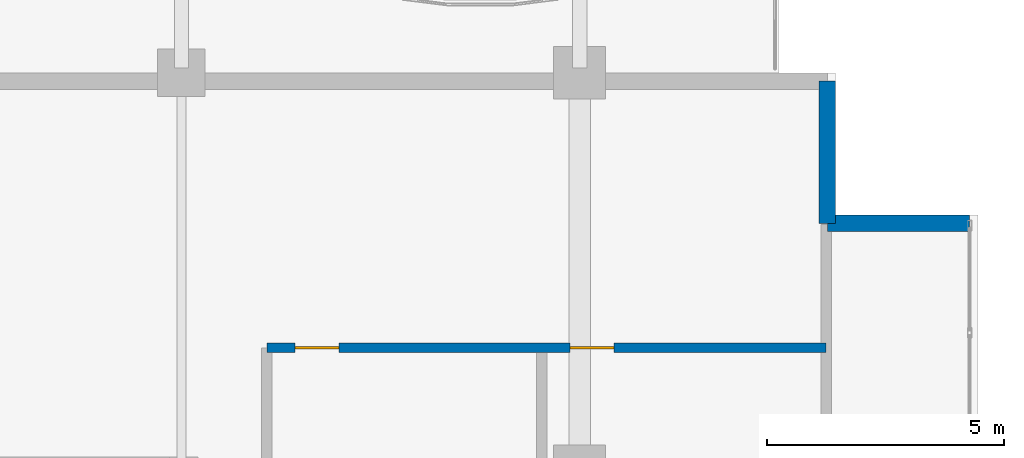
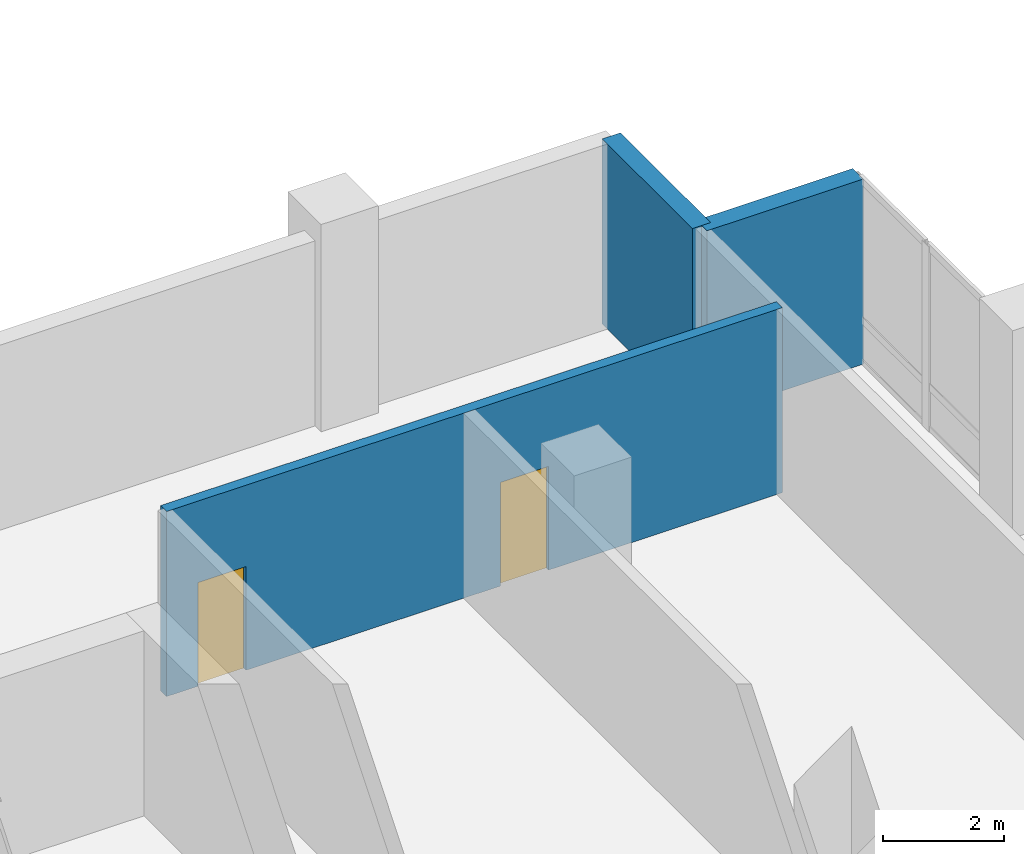
# One storey, part 15 of 21: 3 walls, 2 doors, 2 openings.
"""IFC4 building model written with IfcOpenShell, lengths in metres."""

from ifc_helpers import new_model, si_unit, direction, frame, frame_2d, origin, place, context, subcontext, project, spatial, rectangle, extrude, material, layer, layer_set, type_object, element, fill, save


model = new_model("IFC4")

# Units and contexts
model_context = context("Model", 3, precision=1e-05, world=origin(), true_north=direction((0.0, 1.0)))
body_context = subcontext(model_context, "Body", "Model", "MODEL_VIEW")
ifc_project = project(units=[si_unit("LENGTHUNIT", "METRE"), si_unit("AREAUNIT", "SQUARE_METRE"), si_unit("VOLUMEUNIT", "CUBIC_METRE"), si_unit("PLANEANGLEUNIT", "RADIAN"), si_unit("MASSUNIT", "GRAM", prefix="KILO")], contexts=[model_context])

# Site, building, storey
site_placement = place(None, origin())
site = spatial("IfcSite", under=ifc_project, at=site_placement, CompositionType="ELEMENT")
building_placement = place(site_placement, origin())
building = spatial("IfcBuilding", under=site, at=building_placement, Name="Koriwani Terraces Tower", CompositionType="ELEMENT")
storey_placement = place(building_placement, frame((0.0, 0.0, 224.0)))
storey = spatial("IfcBuildingStorey", under=building, at=storey_placement, Name="L55", CompositionType="ELEMENT", Elevation=224.0)

# Wall, openings, doors
ifc_material_1 = material(Name="Autoclaved Cellular Concrete Blockwork", Category="masonry")
ifc_layer_1 = layer(ifc_material_1, 0.199951171875, Name="Autoclaved Cellular Concrete Blockwork")
ifc_layer_set_1 = layer_set([ifc_layer_1], Name="Autoclaved Cellular Concrete Blockwork")
wall_type_1 = type_object("IfcWallType", Name="WALL_CORRIDOR_200", PredefinedType="PARTITIONING", material=ifc_layer_set_1)
wall_placement = place(storey_placement, frame((60.60009765625, 27.800048828125, 0.0), z_axis=(0.0, 0.0, 1.0), x_axis=(1.0, 0.0, 0.0)))
wall = element("IfcWall", 1, at=wall_placement, inside=storey, type_object=wall_type_1, Name="L55 Interior Wall WSKY-E1-L55", PredefinedType="PARTITIONING", context=body_context, shape_type="SweptSolid", body=[
    extrude(rectangle(XDim=11.7998046875, YDim=0.199951171875, at=frame_2d((5.89990234375, 0.0))), origin(), (0.0, 0.0, 1.0), 3.75),
])
opening_1_placement = place(wall_placement, frame((0.60009765625, 0.0, 0.0)))
opening_1 = element("IfcOpeningElement", 2, at=opening_1_placement, cuts=wall, Name="Opening D-06", PredefinedType="OPENING", context=body_context, shape_type="SweptSolid", body=[
    extrude(rectangle(XDim=0.919921875, YDim=2.10009765625, at=frame_2d((0.4599609375, 1.050048828125))), frame((0.0, 0.10986328125, 0.0), z_axis=(0.0, -1.0, 0.0), x_axis=(1.0, 0.0, 0.0)), (0.0, 0.0, 1.0), 0.219970703125),
])
opening_2_placement = place(wall_placement, frame((6.39990234375, 0.0, 0.0)))
opening_2 = element("IfcOpeningElement", 3, at=opening_2_placement, cuts=wall, Name="Opening D-06", PredefinedType="OPENING", context=body_context, shape_type="SweptSolid", body=[
    extrude(rectangle(XDim=0.919921875, YDim=2.10009765625, at=frame_2d((0.4599609375, 1.050048828125))), frame((0.0, 0.10986328125, 0.0), z_axis=(0.0, -1.0, 0.0), x_axis=(1.0, 0.0, 0.0)), (0.0, 0.0, 1.0), 0.219970703125),
])
ifc_material_2 = material(Name="Architectural Oak Fire Door", Category="wood")
door_type = type_object("IfcDoorType", Name="DOOR_ROOM_INT_920X2100", OperationType="NOTDEFINED", PredefinedType="DOOR", material=ifc_material_2)
door_1_placement = place(opening_1_placement, origin())
door_1 = element("IfcDoor", 4, at=door_1_placement, inside=storey, type_object=door_type, Name="L55 South Panorama Lounge Door", OperationType="SINGLE_SWING_LEFT", OverallHeight=2.10009765625, OverallWidth=0.919921875, PredefinedType="DOOR", context=body_context, shape_type="SweptSolid", body=[
    extrude(rectangle(XDim=0.919921875, YDim=2.10009765625, at=frame_2d((0.4599609375, 1.050048828125))), frame((0.0, 0.02490234375, 0.0), z_axis=(0.0, -1.0, 0.0), x_axis=(1.0, 0.0, 0.0)), (0.0, 0.0, 1.0), 0.050048828125),
])
fill(opening_1, door_1)
door_2_placement = place(opening_2_placement, origin())
door_2 = element("IfcDoor", 5, at=door_2_placement, inside=storey, type_object=door_type, Name="L55 Sky Garden Restaurant Door", OperationType="SINGLE_SWING_RIGHT", OverallHeight=2.10009765625, OverallWidth=0.919921875, PredefinedType="DOOR", context=body_context, shape_type="SweptSolid", body=[
    extrude(rectangle(XDim=0.919921875, YDim=2.10009765625, at=frame_2d((0.4599609375, 1.050048828125))), frame((0.0, 0.02490234375, 0.0), z_axis=(0.0, -1.0, 0.0), x_axis=(1.0, 0.0, 0.0)), (0.0, 0.0, 1.0), 0.050048828125),
])
fill(opening_2, door_2)

# Walls
ifc_material_3 = material(Name="Concrete C50/60", Category="concrete")
ifc_layer_2 = layer(ifc_material_3, 0.35009765625, Name="Concrete C50/60")
ifc_layer_set_2 = layer_set([ifc_layer_2], Name="Concrete C50/60")
wall_type_2 = type_object("IfcWallType", Name="WALL_EXT_BRUTALIST_350", PredefinedType="STANDARD", material=ifc_layer_set_2)
for number, where, z_axis, x_axis, name in (
    (6, (72.425048828125, 33.425048828125, 0.0), (0.0, 0.0, 1.0), (0.0, -1.0, 0.0), "L55 Fair-Faced Brutalist Exterior Wall (N10)"),
    (7, (72.425048828125, 30.425048828125, 0.0), (0.0, 0.0, 1.0), (1.0, 0.0, 0.0), "L55 Fair-Faced Brutalist Exterior Wall (N11)"),
):
    element("IfcWall", number, at=place(storey_placement, frame(where, z_axis=z_axis, x_axis=x_axis)), inside=storey, type_object=wall_type_2, Name=name, PredefinedType="STANDARD", context=body_context, shape_type="SweptSolid", body=[
        extrude(rectangle(XDim=3.0, YDim=0.35009765625, at=frame_2d((1.5, 0.0))), origin(), (0.0, 0.0, 1.0), 3.75),
    ])

save(model, "model.ifc")
